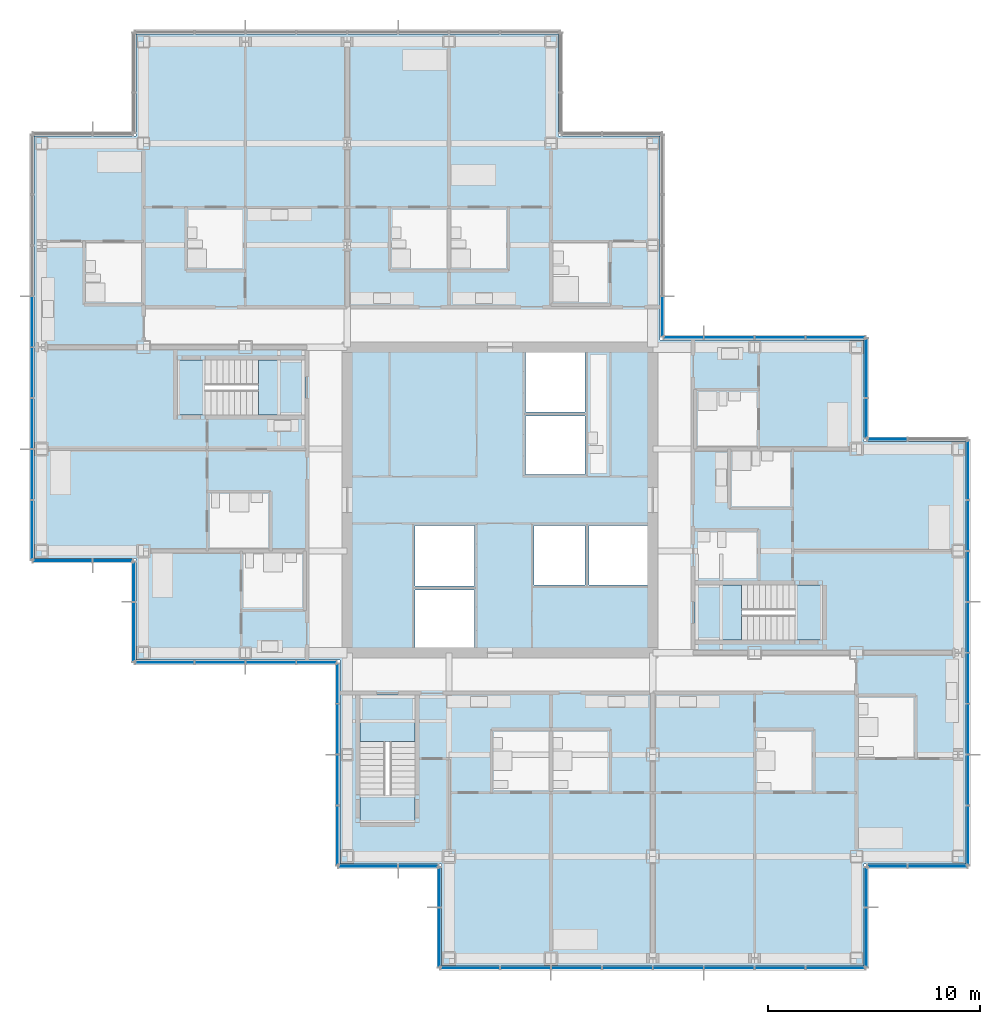
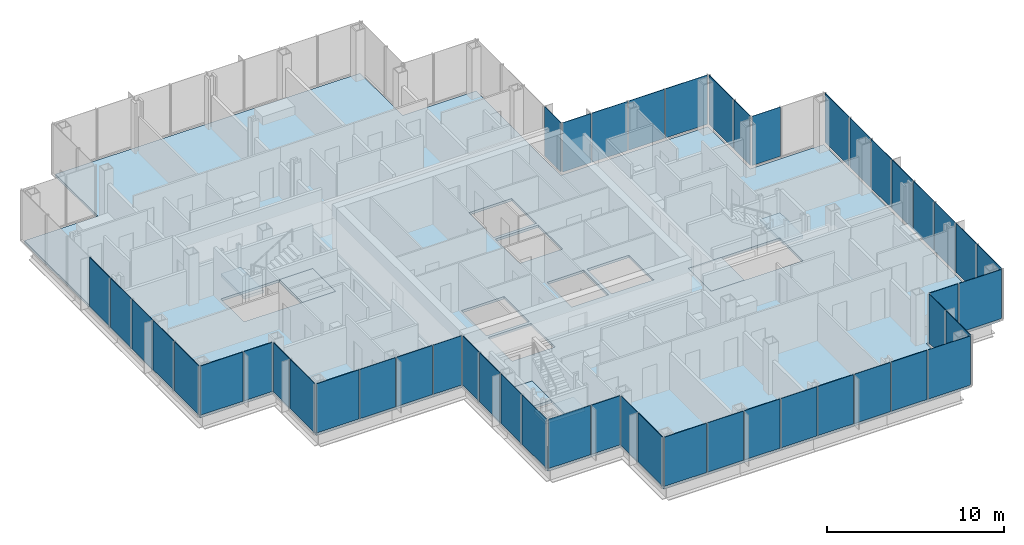
# One storey, part 11 of 19: 49 plates, 7 slabs, 18 elements without a shape of their own.
"""IFC4 building model written with IfcOpenShell, lengths in metres."""

from ifc_helpers import new_model, si_unit, direction, frame, origin, origin_2d, place, context, subcontext, project, spatial, polyline, rectangle, outline, extrude, material, layer, layer_set, type_object, element, aggregate, save


model = new_model("IFC4")

# Units and contexts
model_context = context("Model", 3, precision=1e-05, world=origin(), true_north=direction((0.0, 1.0)))
body_context = subcontext(model_context, "Body", "Model", "MODEL_VIEW")
ifc_project = project(units=[si_unit("LENGTHUNIT", "METRE"), si_unit("AREAUNIT", "SQUARE_METRE"), si_unit("VOLUMEUNIT", "CUBIC_METRE"), si_unit("PLANEANGLEUNIT", "RADIAN"), si_unit("MASSUNIT", "GRAM", prefix="KILO")], contexts=[model_context])

# Site, building, storey
site_placement = place(None, origin())
site = spatial("IfcSite", under=ifc_project, at=site_placement, CompositionType="ELEMENT")
building_placement = place(site_placement, origin())
building = spatial("IfcBuilding", under=site, at=building_placement, Name="Kvirike Care Tower", CompositionType="ELEMENT")
storey_placement = place(building_placement, frame((0.0, 0.0, 98.0)))
storey = spatial("IfcBuildingStorey", under=building, at=storey_placement, Name="L26", CompositionType="ELEMENT", Elevation=98.0)

# Slab
ifc_material_1 = material(Name="Concrete C35/45", Category="concrete")
ifc_layer_1 = layer(ifc_material_1, 0.169921875)
ifc_layer_set_1 = layer_set([ifc_layer_1], Name="FLOOR SLAB 170")
slab_type_1 = type_object("IfcSlabType", Name="FLOOR SLAB 170", PredefinedType="FLOOR", material=ifc_layer_set_1)
slab_1_placement = place(storey_placement, frame((0.0, 0.0, -0.169921875)))
element("IfcSlab", 1, at=slab_1_placement, inside=storey, type_object=slab_type_1, Name="Floor slab L26", PredefinedType="FLOOR", context=body_context, shape_type="SweptSolid", body=[
    extrude(outline(polyline([(43.550048828125, 18.85009765625), (43.550048828125, 38.75), (38.75, 38.75), (38.75, 43.550048828125), (29.14990234375, 43.550048828125), (29.14990234375, 53.14990234375), (24.35009765625, 53.14990234375), (24.35009765625, 57.949951171875), (4.449951171875, 57.949951171875), (4.449951171875, 53.14990234375), (-0.35009765625, 53.14990234375), (-0.35009765625, 33.25), (4.449951171875, 33.25), (4.449951171875, 28.449951171875), (14.050048828125, 28.449951171875), (14.050048828125, 18.85009765625), (18.85009765625, 18.85009765625), (18.85009765625, 14.050048828125), (38.75, 14.050048828125), (38.75, 18.85009765625), (43.550048828125, 18.85009765625)]), holes=[polyline([(17.60009765625, 29.050048828125), (17.60009765625, 31.75), (20.39990234375, 31.75), (20.39990234375, 29.050048828125), (17.60009765625, 29.050048828125)]), polyline([(17.60009765625, 31.949951171875), (17.60009765625, 34.800048828125), (20.39990234375, 34.800048828125), (20.39990234375, 31.949951171875), (17.60009765625, 31.949951171875)]), polyline([(22.800048828125, 37.199951171875), (22.800048828125, 39.949951171875), (25.60009765625, 39.949951171875), (25.60009765625, 37.199951171875), (22.800048828125, 37.199951171875)]), polyline([(22.800048828125, 40.14990234375), (22.800048828125, 42.949951171875), (25.60009765625, 42.949951171875), (25.60009765625, 40.14990234375), (22.800048828125, 40.14990234375)]), polyline([(23.199951171875, 32.0), (23.199951171875, 34.800048828125), (25.60009765625, 34.800048828125), (25.60009765625, 32.0), (23.199951171875, 32.0)]), polyline([(25.800048828125, 32.0), (25.800048828125, 34.800048828125), (28.550048828125, 34.800048828125), (28.550048828125, 32.0), (25.800048828125, 32.0)]), polyline([(12.39990234375, 42.60009765625), (12.39990234375, 40.0), (6.39990234375, 40.0), (6.39990234375, 42.60009765625), (12.39990234375, 42.60009765625)]), polyline([(30.800048828125, 29.39990234375), (30.800048828125, 32.0), (36.800048828125, 32.0), (36.800048828125, 29.39990234375), (30.800048828125, 29.39990234375)]), polyline([(15.0, 26.800048828125), (17.60009765625, 26.800048828125), (17.60009765625, 20.800048828125), (15.0, 20.800048828125), (15.0, 26.800048828125)])]), origin(), (0.0, 0.0, 1.0), 0.169921875),
])

# Stair, slabs
ifc_material_2 = material(Name="Concrete C35/45", Category="concrete")
stair_type = type_object("IfcStairType", Name="STAIR 20 RISERS", PredefinedType="HALF_TURN_STAIR", material=ifc_material_2)
stair_1_placement = place(storey_placement, origin())
stair_1 = element("IfcStair", 2, at=stair_1_placement, inside=storey, type_object=stair_type, Name="Stair 1 L26", PredefinedType="HALF_TURN_STAIR")
ifc_material_3 = material(Name="Concrete C35/45", Category="concrete")
ifc_layer_2 = layer(ifc_material_3, 0.199951171875)
ifc_layer_set_2 = layer_set([ifc_layer_2], Name="STAIR LANDING 200")
slab_type_2 = type_object("IfcSlabType", Name="STAIR LANDING 200", PredefinedType="LANDING", material=ifc_layer_set_2)
slab_2_placement = place(storey_placement, frame((0.0, 0.0, -0.199951171875)))
slab_2 = element("IfcSlab", 3, at=slab_2_placement, type_object=slab_type_2, Name="Stair S1 floor landing L26", PredefinedType="LANDING", context=body_context, shape_type="SweptSolid", body=[
    extrude(outline(polyline([(10.219970703125, 42.60009765625), (10.219970703125, 40.0), (12.39990234375, 40.0), (12.39990234375, 42.60009765625), (10.219970703125, 42.60009765625)])), origin(), (0.0, 0.0, 1.0), 0.199951171875),
])
slab_3_placement = place(storey_placement, frame((0.0, 0.0, 1.550048828125)))
slab_3 = element("IfcSlab", 4, at=slab_3_placement, type_object=slab_type_2, Name="Stair S1 half landing L26-L27", PredefinedType="LANDING", context=body_context, shape_type="SweptSolid", body=[
    extrude(outline(polyline([(6.39990234375, 42.60009765625), (6.39990234375, 40.0), (7.699951171875, 40.0), (7.699951171875, 42.60009765625), (6.39990234375, 42.60009765625)])), origin(), (0.0, 0.0, 1.0), 0.199951171875),
])
aggregate(stair_1, [slab_2, slab_3])

stair_2_placement = place(storey_placement, origin())
stair_2 = element("IfcStair", 5, at=stair_2_placement, inside=storey, type_object=stair_type, Name="Stair 2 L26", PredefinedType="HALF_TURN_STAIR")
slab_4_placement = place(storey_placement, frame((0.0, 0.0, -0.199951171875)))
slab_4 = element("IfcSlab", 6, at=slab_4_placement, type_object=slab_type_2, Name="Stair S2 floor landing L26", PredefinedType="LANDING", context=body_context, shape_type="SweptSolid", body=[
    extrude(outline(polyline([(32.97998046875, 29.39990234375), (32.97998046875, 32.0), (30.800048828125, 32.0), (30.800048828125, 29.39990234375), (32.97998046875, 29.39990234375)])), origin(), (0.0, 0.0, 1.0), 0.199951171875),
])
slab_5_placement = place(storey_placement, frame((0.0, 0.0, 1.550048828125)))
slab_5 = element("IfcSlab", 7, at=slab_5_placement, type_object=slab_type_2, Name="Stair S2 half landing L26-L27", PredefinedType="LANDING", context=body_context, shape_type="SweptSolid", body=[
    extrude(outline(polyline([(36.800048828125, 29.39990234375), (36.800048828125, 32.0), (35.5, 32.0), (35.5, 29.39990234375), (36.800048828125, 29.39990234375)])), origin(), (0.0, 0.0, 1.0), 0.199951171875),
])
aggregate(stair_2, [slab_4, slab_5])

stair_3_placement = place(storey_placement, origin())
stair_3 = element("IfcStair", 8, at=stair_3_placement, inside=storey, type_object=stair_type, Name="Stair 5 L26", PredefinedType="HALF_TURN_STAIR")
slab_6_placement = place(storey_placement, frame((0.0, 0.0, -0.199951171875)))
slab_6 = element("IfcSlab", 9, at=slab_6_placement, type_object=slab_type_2, Name="Stair S5 floor landing L26", PredefinedType="LANDING", context=body_context, shape_type="SweptSolid", body=[
    extrude(outline(polyline([(15.0, 24.6201171875), (17.60009765625, 24.6201171875), (17.60009765625, 26.800048828125), (15.0, 26.800048828125), (15.0, 24.6201171875)])), origin(), (0.0, 0.0, 1.0), 0.199951171875),
])
slab_7_placement = place(storey_placement, frame((0.0, 0.0, 1.550048828125)))
slab_7 = element("IfcSlab", 10, at=slab_7_placement, type_object=slab_type_2, Name="Stair S5 half landing L26-L27", PredefinedType="LANDING", context=body_context, shape_type="SweptSolid", body=[
    extrude(outline(polyline([(15.0, 20.800048828125), (17.60009765625, 20.800048828125), (17.60009765625, 22.10009765625), (15.0, 22.10009765625), (15.0, 20.800048828125)])), origin(), (0.0, 0.0, 1.0), 0.199951171875),
])
aggregate(stair_3, [slab_6, slab_7])

# Curtain wall, plates
ifc_material_4 = material(Name="Anodised aluminium stick system", Category="aluminium")
curtain_wall_type = type_object("IfcCurtainWallType", Name="CW-B STICK CURTAIN WALL", PredefinedType="NOTDEFINED", material=ifc_material_4)
curtain_wall_1_placement = place(storey_placement, origin())
curtain_wall_1 = element("IfcCurtainWall", 11, at=curtain_wall_1_placement, inside=storey, type_object=curtain_wall_type, Name="Curtain wall L26 face 1", PredefinedType="NOTDEFINED")
ifc_material_5 = material(Name="Tinted double glazed unit", Category="glass")
ifc_layer_3 = layer(ifc_material_5, 0.035888671875)
ifc_layer_set_3 = layer_set([ifc_layer_3], Name="TINTED VISION PANEL 36")
plate_type = type_object("IfcPlateType", Name="TINTED VISION PANEL 36", PredefinedType="CURTAIN_PANEL", material=ifc_layer_set_3)
plate_1_placement = place(storey_placement, frame((43.659912109375, 20.186279296875, 0.10009765625), z_axis=(0.0, 0.0, 1.0), x_axis=(0.0, 1.0, 0.0)))
plate_1 = element("IfcPlate", 12, at=plate_1_placement, type_object=plate_type, Name="CW-B panel L26 face 1.1", PredefinedType="CURTAIN_PANEL", context=body_context, shape_type="SweptSolid", body=[
    extrude(rectangle(XDim=2.762451171875, YDim=0.035888671875, at=origin_2d()), origin(), (0.0, 0.0, 1.0), 3.39990234375),
])
plate_2_placement = place(storey_placement, frame((43.659912109375, 22.800048828125, 0.10009765625), z_axis=(0.0, 0.0, 1.0), x_axis=(0.0, 1.0, 0.0)))
plate_2 = element("IfcPlate", 13, at=plate_2_placement, type_object=plate_type, Name="CW-B panel L26 face 1.2", PredefinedType="CURTAIN_PANEL", context=body_context, shape_type="SweptSolid", body=[
    extrude(rectangle(XDim=2.3349609375, YDim=0.035888671875, at=origin_2d()), origin(), (0.0, 0.0, 1.0), 3.39990234375),
])
plate_3_placement = place(storey_placement, frame((43.659912109375, 25.199951171875, 0.10009765625), z_axis=(0.0, 0.0, 1.0), x_axis=(0.0, 1.0, 0.0)))
plate_3 = element("IfcPlate", 14, at=plate_3_placement, type_object=plate_type, Name="CW-B panel L26 face 1.3", PredefinedType="CURTAIN_PANEL", context=body_context, shape_type="SweptSolid", body=[
    extrude(rectangle(XDim=2.3349609375, YDim=0.035888671875, at=origin_2d()), origin(), (0.0, 0.0, 1.0), 3.39990234375),
])
plate_4_placement = place(storey_placement, frame((43.659912109375, 27.60009765625, 0.10009765625), z_axis=(0.0, 0.0, 1.0), x_axis=(0.0, 1.0, 0.0)))
plate_4 = element("IfcPlate", 15, at=plate_4_placement, type_object=plate_type, Name="CW-B panel L26 face 1.4", PredefinedType="CURTAIN_PANEL", context=body_context, shape_type="SweptSolid", body=[
    extrude(rectangle(XDim=2.3349609375, YDim=0.035888671875, at=origin_2d()), origin(), (0.0, 0.0, 1.0), 3.39990234375),
])
plate_5_placement = place(storey_placement, frame((43.659912109375, 30.0, 0.10009765625), z_axis=(0.0, 0.0, 1.0), x_axis=(0.0, 1.0, 0.0)))
plate_5 = element("IfcPlate", 16, at=plate_5_placement, type_object=plate_type, Name="CW-B panel L26 face 1.5", PredefinedType="CURTAIN_PANEL", context=body_context, shape_type="SweptSolid", body=[
    extrude(rectangle(XDim=2.3349609375, YDim=0.035888671875, at=origin_2d()), origin(), (0.0, 0.0, 1.0), 3.39990234375),
])
plate_6_placement = place(storey_placement, frame((43.659912109375, 32.39990234375, 0.10009765625), z_axis=(0.0, 0.0, 1.0), x_axis=(0.0, 1.0, 0.0)))
plate_6 = element("IfcPlate", 17, at=plate_6_placement, type_object=plate_type, Name="CW-B panel L26 face 1.6", PredefinedType="CURTAIN_PANEL", context=body_context, shape_type="SweptSolid", body=[
    extrude(rectangle(XDim=2.3349609375, YDim=0.035888671875, at=origin_2d()), origin(), (0.0, 0.0, 1.0), 3.39990234375),
])
plate_7_placement = place(storey_placement, frame((43.659912109375, 34.800048828125, 0.10009765625), z_axis=(0.0, 0.0, 1.0), x_axis=(0.0, 1.0, 0.0)))
plate_7 = element("IfcPlate", 18, at=plate_7_placement, type_object=plate_type, Name="CW-B panel L26 face 1.7", PredefinedType="CURTAIN_PANEL", context=body_context, shape_type="SweptSolid", body=[
    extrude(rectangle(XDim=2.3349609375, YDim=0.035888671875, at=origin_2d()), origin(), (0.0, 0.0, 1.0), 3.39990234375),
])
plate_8_placement = place(storey_placement, frame((43.659912109375, 37.413818359375, 0.10009765625), z_axis=(0.0, 0.0, 1.0), x_axis=(0.0, 1.0, 0.0)))
plate_8 = element("IfcPlate", 19, at=plate_8_placement, type_object=plate_type, Name="CW-B panel L26 face 1.8", PredefinedType="CURTAIN_PANEL", context=body_context, shape_type="SweptSolid", body=[
    extrude(rectangle(XDim=2.762451171875, YDim=0.035888671875, at=origin_2d()), origin(), (0.0, 0.0, 1.0), 3.39990234375),
])
aggregate(curtain_wall_1, [plate_1, plate_2, plate_3, plate_4, plate_5, plate_6, plate_7, plate_8])

# Curtain wall, plate
curtain_wall_2_placement = place(storey_placement, origin())
curtain_wall_2 = element("IfcCurtainWall", 20, at=curtain_wall_2_placement, inside=storey, type_object=curtain_wall_type, Name="Curtain wall L26 face 2", PredefinedType="NOTDEFINED")
plate_9_placement = place(storey_placement, frame((39.84619140625, 38.860107421875, 0.10009765625), z_axis=(0.0, 0.0, 1.0), x_axis=(-1.0, 0.0, 0.0)))
plate_9 = element("IfcPlate", 21, at=plate_9_placement, type_object=plate_type, Name="CW-B panel L26 face 2.2", PredefinedType="CURTAIN_PANEL", context=body_context, shape_type="SweptSolid", body=[
    extrude(rectangle(XDim=1.842529296875, YDim=0.035888671875, at=origin_2d()), origin(), (0.0, 0.0, 1.0), 3.39990234375),
])
aggregate(curtain_wall_2, [plate_9])

# Curtain wall, plates
curtain_wall_3_placement = place(storey_placement, origin())
curtain_wall_3 = element("IfcCurtainWall", 22, at=curtain_wall_3_placement, inside=storey, type_object=curtain_wall_type, Name="Curtain wall L26 face 3", PredefinedType="NOTDEFINED")
plate_10_placement = place(storey_placement, frame((38.860107421875, 39.84619140625, 0.10009765625), z_axis=(0.0, 0.0, 1.0), x_axis=(0.0, 1.0, 0.0)))
plate_10 = element("IfcPlate", 23, at=plate_10_placement, type_object=plate_type, Name="CW-B panel L26 face 3.1", PredefinedType="CURTAIN_PANEL", context=body_context, shape_type="SweptSolid", body=[
    extrude(rectangle(XDim=1.842529296875, YDim=0.035888671875, at=origin_2d()), origin(), (0.0, 0.0, 1.0), 3.39990234375),
])
plate_11_placement = place(storey_placement, frame((38.860107421875, 42.2138671875, 0.10009765625), z_axis=(0.0, 0.0, 1.0), x_axis=(0.0, 1.0, 0.0)))
plate_11 = element("IfcPlate", 24, at=plate_11_placement, type_object=plate_type, Name="CW-B panel L26 face 3.2", PredefinedType="CURTAIN_PANEL", context=body_context, shape_type="SweptSolid", body=[
    extrude(rectangle(XDim=2.762451171875, YDim=0.035888671875, at=origin_2d()), origin(), (0.0, 0.0, 1.0), 3.39990234375),
])
aggregate(curtain_wall_3, [plate_10, plate_11])

curtain_wall_4_placement = place(storey_placement, origin())
curtain_wall_4 = element("IfcCurtainWall", 25, at=curtain_wall_4_placement, inside=storey, type_object=curtain_wall_type, Name="Curtain wall L26 face 4", PredefinedType="NOTDEFINED")
plate_12_placement = place(storey_placement, frame((37.413818359375, 43.659912109375, 0.10009765625), z_axis=(0.0, 0.0, 1.0), x_axis=(-1.0, 0.0, 0.0)))
plate_12 = element("IfcPlate", 26, at=plate_12_placement, type_object=plate_type, Name="CW-B panel L26 face 4.1", PredefinedType="CURTAIN_PANEL", context=body_context, shape_type="SweptSolid", body=[
    extrude(rectangle(XDim=2.762451171875, YDim=0.035888671875, at=origin_2d()), origin(), (0.0, 0.0, 1.0), 3.39990234375),
])
plate_13_placement = place(storey_placement, frame((34.800048828125, 43.659912109375, 0.10009765625), z_axis=(0.0, 0.0, 1.0), x_axis=(-1.0, 0.0, 0.0)))
plate_13 = element("IfcPlate", 27, at=plate_13_placement, type_object=plate_type, Name="CW-B panel L26 face 4.2", PredefinedType="CURTAIN_PANEL", context=body_context, shape_type="SweptSolid", body=[
    extrude(rectangle(XDim=2.3349609375, YDim=0.035888671875, at=origin_2d()), origin(), (0.0, 0.0, 1.0), 3.39990234375),
])
plate_14_placement = place(storey_placement, frame((32.39990234375, 43.659912109375, 0.10009765625), z_axis=(0.0, 0.0, 1.0), x_axis=(-1.0, 0.0, 0.0)))
plate_14 = element("IfcPlate", 28, at=plate_14_placement, type_object=plate_type, Name="CW-B panel L26 face 4.3", PredefinedType="CURTAIN_PANEL", context=body_context, shape_type="SweptSolid", body=[
    extrude(rectangle(XDim=2.3349609375, YDim=0.035888671875, at=origin_2d()), origin(), (0.0, 0.0, 1.0), 3.39990234375),
])
plate_15_placement = place(storey_placement, frame((30.246337890625, 43.659912109375, 0.10009765625), z_axis=(0.0, 0.0, 1.0), x_axis=(-1.0, 0.0, 0.0)))
plate_15 = element("IfcPlate", 29, at=plate_15_placement, type_object=plate_type, Name="CW-B panel L26 face 4.4", PredefinedType="CURTAIN_PANEL", context=body_context, shape_type="SweptSolid", body=[
    extrude(rectangle(XDim=1.842529296875, YDim=0.035888671875, at=origin_2d()), origin(), (0.0, 0.0, 1.0), 3.39990234375),
])
aggregate(curtain_wall_4, [plate_12, plate_13, plate_14, plate_15])

# Curtain wall, plate
curtain_wall_5_placement = place(storey_placement, origin())
curtain_wall_5 = element("IfcCurtainWall", 30, at=curtain_wall_5_placement, inside=storey, type_object=curtain_wall_type, Name="Curtain wall L26 face 5", PredefinedType="NOTDEFINED")
plate_16_placement = place(storey_placement, frame((29.260009765625, 44.646240234375, 0.10009765625), z_axis=(0.0, 0.0, 1.0), x_axis=(0.0, 1.0, 0.0)))
plate_16 = element("IfcPlate", 31, at=plate_16_placement, type_object=plate_type, Name="CW-B panel L26 face 5.1", PredefinedType="CURTAIN_PANEL", context=body_context, shape_type="SweptSolid", body=[
    extrude(rectangle(XDim=1.842529296875, YDim=0.035888671875, at=origin_2d()), origin(), (0.0, 0.0, 1.0), 3.39990234375),
])
aggregate(curtain_wall_5, [plate_16])

# Curtain wall, plates
curtain_wall_6_placement = place(storey_placement, origin())
curtain_wall_6 = element("IfcCurtainWall", 32, at=curtain_wall_6_placement, inside=storey, type_object=curtain_wall_type, Name="Curtain wall L26 face 11", PredefinedType="NOTDEFINED")
plate_17_placement = place(storey_placement, frame((-0.4599609375, 44.39990234375, 0.10009765625), z_axis=(0.0, 0.0, 1.0), x_axis=(0.0, -1.0, 0.0)))
plate_17 = element("IfcPlate", 33, at=plate_17_placement, type_object=plate_type, Name="CW-B panel L26 face 11.4", PredefinedType="CURTAIN_PANEL", context=body_context, shape_type="SweptSolid", body=[
    extrude(rectangle(XDim=2.3349609375, YDim=0.035888671875, at=origin_2d()), origin(), (0.0, 0.0, 1.0), 3.39990234375),
])
plate_18_placement = place(storey_placement, frame((-0.4599609375, 42.0, 0.10009765625), z_axis=(0.0, 0.0, 1.0), x_axis=(0.0, -1.0, 0.0)))
plate_18 = element("IfcPlate", 34, at=plate_18_placement, type_object=plate_type, Name="CW-B panel L26 face 11.5", PredefinedType="CURTAIN_PANEL", context=body_context, shape_type="SweptSolid", body=[
    extrude(rectangle(XDim=2.3349609375, YDim=0.035888671875, at=origin_2d()), origin(), (0.0, 0.0, 1.0), 3.39990234375),
])
plate_19_placement = place(storey_placement, frame((-0.4599609375, 39.60009765625, 0.10009765625), z_axis=(0.0, 0.0, 1.0), x_axis=(0.0, -1.0, 0.0)))
plate_19 = element("IfcPlate", 35, at=plate_19_placement, type_object=plate_type, Name="CW-B panel L26 face 11.6", PredefinedType="CURTAIN_PANEL", context=body_context, shape_type="SweptSolid", body=[
    extrude(rectangle(XDim=2.3349609375, YDim=0.035888671875, at=origin_2d()), origin(), (0.0, 0.0, 1.0), 3.39990234375),
])
plate_20_placement = place(storey_placement, frame((-0.4599609375, 37.199951171875, 0.10009765625), z_axis=(0.0, 0.0, 1.0), x_axis=(0.0, -1.0, 0.0)))
plate_20 = element("IfcPlate", 36, at=plate_20_placement, type_object=plate_type, Name="CW-B panel L26 face 11.7", PredefinedType="CURTAIN_PANEL", context=body_context, shape_type="SweptSolid", body=[
    extrude(rectangle(XDim=2.3349609375, YDim=0.035888671875, at=origin_2d()), origin(), (0.0, 0.0, 1.0), 3.39990234375),
])
plate_21_placement = place(storey_placement, frame((-0.4599609375, 34.586181640625, 0.10009765625), z_axis=(0.0, 0.0, 1.0), x_axis=(0.0, -1.0, 0.0)))
plate_21 = element("IfcPlate", 37, at=plate_21_placement, type_object=plate_type, Name="CW-B panel L26 face 11.8", PredefinedType="CURTAIN_PANEL", context=body_context, shape_type="SweptSolid", body=[
    extrude(rectangle(XDim=2.762451171875, YDim=0.035888671875, at=origin_2d()), origin(), (0.0, 0.0, 1.0), 3.39990234375),
])
aggregate(curtain_wall_6, [plate_17, plate_18, plate_19, plate_20, plate_21])

curtain_wall_7_placement = place(storey_placement, origin())
curtain_wall_7 = element("IfcCurtainWall", 38, at=curtain_wall_7_placement, inside=storey, type_object=curtain_wall_type, Name="Curtain wall L26 face 12", PredefinedType="NOTDEFINED")
plate_22_placement = place(storey_placement, frame((0.986328125, 33.139892578125, 0.10009765625), z_axis=(0.0, 0.0, 1.0), x_axis=(1.0, 0.0, 0.0)))
plate_22 = element("IfcPlate", 39, at=plate_22_placement, type_object=plate_type, Name="CW-B panel L26 face 12.1", PredefinedType="CURTAIN_PANEL", context=body_context, shape_type="SweptSolid", body=[
    extrude(rectangle(XDim=2.762451171875, YDim=0.035888671875, at=origin_2d()), origin(), (0.0, 0.0, 1.0), 3.39990234375),
])
plate_23_placement = place(storey_placement, frame((3.353759765625, 33.139892578125, 0.10009765625), z_axis=(0.0, 0.0, 1.0), x_axis=(1.0, 0.0, 0.0)))
plate_23 = element("IfcPlate", 40, at=plate_23_placement, type_object=plate_type, Name="CW-B panel L26 face 12.2", PredefinedType="CURTAIN_PANEL", context=body_context, shape_type="SweptSolid", body=[
    extrude(rectangle(XDim=1.842529296875, YDim=0.035888671875, at=origin_2d()), origin(), (0.0, 0.0, 1.0), 3.39990234375),
])
aggregate(curtain_wall_7, [plate_22, plate_23])

curtain_wall_8_placement = place(storey_placement, origin())
curtain_wall_8 = element("IfcCurtainWall", 41, at=curtain_wall_8_placement, inside=storey, type_object=curtain_wall_type, Name="Curtain wall L26 face 13", PredefinedType="NOTDEFINED")
plate_24_placement = place(storey_placement, frame((4.340087890625, 32.15380859375, 0.10009765625), z_axis=(0.0, 0.0, 1.0), x_axis=(0.0, -1.0, 0.0)))
plate_24 = element("IfcPlate", 42, at=plate_24_placement, type_object=plate_type, Name="CW-B panel L26 face 13.1", PredefinedType="CURTAIN_PANEL", context=body_context, shape_type="SweptSolid", body=[
    extrude(rectangle(XDim=1.842529296875, YDim=0.035888671875, at=origin_2d()), origin(), (0.0, 0.0, 1.0), 3.39990234375),
])
plate_25_placement = place(storey_placement, frame((4.340087890625, 29.7861328125, 0.10009765625), z_axis=(0.0, 0.0, 1.0), x_axis=(0.0, -1.0, 0.0)))
plate_25 = element("IfcPlate", 43, at=plate_25_placement, type_object=plate_type, Name="CW-B panel L26 face 13.2", PredefinedType="CURTAIN_PANEL", context=body_context, shape_type="SweptSolid", body=[
    extrude(rectangle(XDim=2.762451171875, YDim=0.035888671875, at=origin_2d()), origin(), (0.0, 0.0, 1.0), 3.39990234375),
])
aggregate(curtain_wall_8, [plate_24, plate_25])

curtain_wall_9_placement = place(storey_placement, origin())
curtain_wall_9 = element("IfcCurtainWall", 44, at=curtain_wall_9_placement, inside=storey, type_object=curtain_wall_type, Name="Curtain wall L26 face 14", PredefinedType="NOTDEFINED")
plate_26_placement = place(storey_placement, frame((5.7861328125, 28.340087890625, 0.10009765625), z_axis=(0.0, 0.0, 1.0), x_axis=(1.0, 0.0, 0.0)))
plate_26 = element("IfcPlate", 45, at=plate_26_placement, type_object=plate_type, Name="CW-B panel L26 face 14.1", PredefinedType="CURTAIN_PANEL", context=body_context, shape_type="SweptSolid", body=[
    extrude(rectangle(XDim=2.762451171875, YDim=0.035888671875, at=origin_2d()), origin(), (0.0, 0.0, 1.0), 3.39990234375),
])
plate_27_placement = place(storey_placement, frame((8.39990234375, 28.340087890625, 0.10009765625), z_axis=(0.0, 0.0, 1.0), x_axis=(1.0, 0.0, 0.0)))
plate_27 = element("IfcPlate", 46, at=plate_27_placement, type_object=plate_type, Name="CW-B panel L26 face 14.2", PredefinedType="CURTAIN_PANEL", context=body_context, shape_type="SweptSolid", body=[
    extrude(rectangle(XDim=2.3349609375, YDim=0.035888671875, at=origin_2d()), origin(), (0.0, 0.0, 1.0), 3.39990234375),
])
plate_28_placement = place(storey_placement, frame((10.800048828125, 28.340087890625, 0.10009765625), z_axis=(0.0, 0.0, 1.0), x_axis=(1.0, 0.0, 0.0)))
plate_28 = element("IfcPlate", 47, at=plate_28_placement, type_object=plate_type, Name="CW-B panel L26 face 14.3", PredefinedType="CURTAIN_PANEL", context=body_context, shape_type="SweptSolid", body=[
    extrude(rectangle(XDim=2.3349609375, YDim=0.035888671875, at=origin_2d()), origin(), (0.0, 0.0, 1.0), 3.39990234375),
])
plate_29_placement = place(storey_placement, frame((12.953857421875, 28.340087890625, 0.10009765625), z_axis=(0.0, 0.0, 1.0), x_axis=(1.0, 0.0, 0.0)))
plate_29 = element("IfcPlate", 48, at=plate_29_placement, type_object=plate_type, Name="CW-B panel L26 face 14.4", PredefinedType="CURTAIN_PANEL", context=body_context, shape_type="SweptSolid", body=[
    extrude(rectangle(XDim=1.842529296875, YDim=0.035888671875, at=origin_2d()), origin(), (0.0, 0.0, 1.0), 3.39990234375),
])
aggregate(curtain_wall_9, [plate_26, plate_27, plate_28, plate_29])

curtain_wall_10_placement = place(storey_placement, origin())
curtain_wall_10 = element("IfcCurtainWall", 49, at=curtain_wall_10_placement, inside=storey, type_object=curtain_wall_type, Name="Curtain wall L26 face 15", PredefinedType="NOTDEFINED")
plate_30_placement = place(storey_placement, frame((13.93994140625, 27.353759765625, 0.10009765625), z_axis=(0.0, 0.0, 1.0), x_axis=(0.0, -1.0, 0.0)))
plate_30 = element("IfcPlate", 50, at=plate_30_placement, type_object=plate_type, Name="CW-B panel L26 face 15.1", PredefinedType="CURTAIN_PANEL", context=body_context, shape_type="SweptSolid", body=[
    extrude(rectangle(XDim=1.842529296875, YDim=0.035888671875, at=origin_2d()), origin(), (0.0, 0.0, 1.0), 3.39990234375),
])
plate_31_placement = place(storey_placement, frame((13.93994140625, 25.199951171875, 0.10009765625), z_axis=(0.0, 0.0, 1.0), x_axis=(0.0, -1.0, 0.0)))
plate_31 = element("IfcPlate", 51, at=plate_31_placement, type_object=plate_type, Name="CW-B panel L26 face 15.2", PredefinedType="CURTAIN_PANEL", context=body_context, shape_type="SweptSolid", body=[
    extrude(rectangle(XDim=2.3349609375, YDim=0.035888671875, at=origin_2d()), origin(), (0.0, 0.0, 1.0), 3.39990234375),
])
plate_32_placement = place(storey_placement, frame((13.93994140625, 22.800048828125, 0.10009765625), z_axis=(0.0, 0.0, 1.0), x_axis=(0.0, -1.0, 0.0)))
plate_32 = element("IfcPlate", 52, at=plate_32_placement, type_object=plate_type, Name="CW-B panel L26 face 15.3", PredefinedType="CURTAIN_PANEL", context=body_context, shape_type="SweptSolid", body=[
    extrude(rectangle(XDim=2.3349609375, YDim=0.035888671875, at=origin_2d()), origin(), (0.0, 0.0, 1.0), 3.39990234375),
])
plate_33_placement = place(storey_placement, frame((13.93994140625, 20.186279296875, 0.10009765625), z_axis=(0.0, 0.0, 1.0), x_axis=(0.0, -1.0, 0.0)))
plate_33 = element("IfcPlate", 53, at=plate_33_placement, type_object=plate_type, Name="CW-B panel L26 face 15.4", PredefinedType="CURTAIN_PANEL", context=body_context, shape_type="SweptSolid", body=[
    extrude(rectangle(XDim=2.762451171875, YDim=0.035888671875, at=origin_2d()), origin(), (0.0, 0.0, 1.0), 3.39990234375),
])
aggregate(curtain_wall_10, [plate_30, plate_31, plate_32, plate_33])

curtain_wall_11_placement = place(storey_placement, origin())
curtain_wall_11 = element("IfcCurtainWall", 54, at=curtain_wall_11_placement, inside=storey, type_object=curtain_wall_type, Name="Curtain wall L26 face 16", PredefinedType="NOTDEFINED")
plate_34_placement = place(storey_placement, frame((15.38623046875, 18.739990234375, 0.10009765625), z_axis=(0.0, 0.0, 1.0), x_axis=(1.0, 0.0, 0.0)))
plate_34 = element("IfcPlate", 55, at=plate_34_placement, type_object=plate_type, Name="CW-B panel L26 face 16.1", PredefinedType="CURTAIN_PANEL", context=body_context, shape_type="SweptSolid", body=[
    extrude(rectangle(XDim=2.762451171875, YDim=0.035888671875, at=origin_2d()), origin(), (0.0, 0.0, 1.0), 3.39990234375),
])
plate_35_placement = place(storey_placement, frame((17.753662109375, 18.739990234375, 0.10009765625), z_axis=(0.0, 0.0, 1.0), x_axis=(1.0, 0.0, 0.0)))
plate_35 = element("IfcPlate", 56, at=plate_35_placement, type_object=plate_type, Name="CW-B panel L26 face 16.2", PredefinedType="CURTAIN_PANEL", context=body_context, shape_type="SweptSolid", body=[
    extrude(rectangle(XDim=1.842529296875, YDim=0.035888671875, at=origin_2d()), origin(), (0.0, 0.0, 1.0), 3.39990234375),
])
aggregate(curtain_wall_11, [plate_34, plate_35])

curtain_wall_12_placement = place(storey_placement, origin())
curtain_wall_12 = element("IfcCurtainWall", 57, at=curtain_wall_12_placement, inside=storey, type_object=curtain_wall_type, Name="Curtain wall L26 face 17", PredefinedType="NOTDEFINED")
plate_36_placement = place(storey_placement, frame((18.739990234375, 17.753662109375, 0.10009765625), z_axis=(0.0, 0.0, 1.0), x_axis=(0.0, -1.0, 0.0)))
plate_36 = element("IfcPlate", 58, at=plate_36_placement, type_object=plate_type, Name="CW-B panel L26 face 17.1", PredefinedType="CURTAIN_PANEL", context=body_context, shape_type="SweptSolid", body=[
    extrude(rectangle(XDim=1.842529296875, YDim=0.035888671875, at=origin_2d()), origin(), (0.0, 0.0, 1.0), 3.39990234375),
])
plate_37_placement = place(storey_placement, frame((18.739990234375, 15.38623046875, 0.10009765625), z_axis=(0.0, 0.0, 1.0), x_axis=(0.0, -1.0, 0.0)))
plate_37 = element("IfcPlate", 59, at=plate_37_placement, type_object=plate_type, Name="CW-B panel L26 face 17.2", PredefinedType="CURTAIN_PANEL", context=body_context, shape_type="SweptSolid", body=[
    extrude(rectangle(XDim=2.762451171875, YDim=0.035888671875, at=origin_2d()), origin(), (0.0, 0.0, 1.0), 3.39990234375),
])
aggregate(curtain_wall_12, [plate_36, plate_37])

curtain_wall_13_placement = place(storey_placement, origin())
curtain_wall_13 = element("IfcCurtainWall", 60, at=curtain_wall_13_placement, inside=storey, type_object=curtain_wall_type, Name="Curtain wall L26 face 18", PredefinedType="NOTDEFINED")
plate_38_placement = place(storey_placement, frame((20.186279296875, 13.93994140625, 0.10009765625), z_axis=(0.0, 0.0, 1.0), x_axis=(1.0, 0.0, 0.0)))
plate_38 = element("IfcPlate", 61, at=plate_38_placement, type_object=plate_type, Name="CW-B panel L26 face 18.1", PredefinedType="CURTAIN_PANEL", context=body_context, shape_type="SweptSolid", body=[
    extrude(rectangle(XDim=2.762451171875, YDim=0.035888671875, at=origin_2d()), origin(), (0.0, 0.0, 1.0), 3.39990234375),
])
plate_39_placement = place(storey_placement, frame((22.800048828125, 13.93994140625, 0.10009765625), z_axis=(0.0, 0.0, 1.0), x_axis=(1.0, 0.0, 0.0)))
plate_39 = element("IfcPlate", 62, at=plate_39_placement, type_object=plate_type, Name="CW-B panel L26 face 18.2", PredefinedType="CURTAIN_PANEL", context=body_context, shape_type="SweptSolid", body=[
    extrude(rectangle(XDim=2.3349609375, YDim=0.035888671875, at=origin_2d()), origin(), (0.0, 0.0, 1.0), 3.39990234375),
])
plate_40_placement = place(storey_placement, frame((25.199951171875, 13.93994140625, 0.10009765625), z_axis=(0.0, 0.0, 1.0), x_axis=(1.0, 0.0, 0.0)))
plate_40 = element("IfcPlate", 63, at=plate_40_placement, type_object=plate_type, Name="CW-B panel L26 face 18.3", PredefinedType="CURTAIN_PANEL", context=body_context, shape_type="SweptSolid", body=[
    extrude(rectangle(XDim=2.3349609375, YDim=0.035888671875, at=origin_2d()), origin(), (0.0, 0.0, 1.0), 3.39990234375),
])
plate_41_placement = place(storey_placement, frame((27.60009765625, 13.93994140625, 0.10009765625), z_axis=(0.0, 0.0, 1.0), x_axis=(1.0, 0.0, 0.0)))
plate_41 = element("IfcPlate", 64, at=plate_41_placement, type_object=plate_type, Name="CW-B panel L26 face 18.4", PredefinedType="CURTAIN_PANEL", context=body_context, shape_type="SweptSolid", body=[
    extrude(rectangle(XDim=2.3349609375, YDim=0.035888671875, at=origin_2d()), origin(), (0.0, 0.0, 1.0), 3.39990234375),
])
plate_42_placement = place(storey_placement, frame((30.0, 13.93994140625, 0.10009765625), z_axis=(0.0, 0.0, 1.0), x_axis=(1.0, 0.0, 0.0)))
plate_42 = element("IfcPlate", 65, at=plate_42_placement, type_object=plate_type, Name="CW-B panel L26 face 18.5", PredefinedType="CURTAIN_PANEL", context=body_context, shape_type="SweptSolid", body=[
    extrude(rectangle(XDim=2.3349609375, YDim=0.035888671875, at=origin_2d()), origin(), (0.0, 0.0, 1.0), 3.39990234375),
])
plate_43_placement = place(storey_placement, frame((32.39990234375, 13.93994140625, 0.10009765625), z_axis=(0.0, 0.0, 1.0), x_axis=(1.0, 0.0, 0.0)))
plate_43 = element("IfcPlate", 66, at=plate_43_placement, type_object=plate_type, Name="CW-B panel L26 face 18.6", PredefinedType="CURTAIN_PANEL", context=body_context, shape_type="SweptSolid", body=[
    extrude(rectangle(XDim=2.3349609375, YDim=0.035888671875, at=origin_2d()), origin(), (0.0, 0.0, 1.0), 3.39990234375),
])
plate_44_placement = place(storey_placement, frame((34.800048828125, 13.93994140625, 0.10009765625), z_axis=(0.0, 0.0, 1.0), x_axis=(1.0, 0.0, 0.0)))
plate_44 = element("IfcPlate", 67, at=plate_44_placement, type_object=plate_type, Name="CW-B panel L26 face 18.7", PredefinedType="CURTAIN_PANEL", context=body_context, shape_type="SweptSolid", body=[
    extrude(rectangle(XDim=2.3349609375, YDim=0.035888671875, at=origin_2d()), origin(), (0.0, 0.0, 1.0), 3.39990234375),
])
plate_45_placement = place(storey_placement, frame((37.413818359375, 13.93994140625, 0.10009765625), z_axis=(0.0, 0.0, 1.0), x_axis=(1.0, 0.0, 0.0)))
plate_45 = element("IfcPlate", 68, at=plate_45_placement, type_object=plate_type, Name="CW-B panel L26 face 18.8", PredefinedType="CURTAIN_PANEL", context=body_context, shape_type="SweptSolid", body=[
    extrude(rectangle(XDim=2.762451171875, YDim=0.035888671875, at=origin_2d()), origin(), (0.0, 0.0, 1.0), 3.39990234375),
])
aggregate(curtain_wall_13, [plate_38, plate_39, plate_40, plate_41, plate_42, plate_43, plate_44, plate_45])

curtain_wall_14_placement = place(storey_placement, origin())
curtain_wall_14 = element("IfcCurtainWall", 69, at=curtain_wall_14_placement, inside=storey, type_object=curtain_wall_type, Name="Curtain wall L26 face 19", PredefinedType="NOTDEFINED")
plate_46_placement = place(storey_placement, frame((38.860107421875, 15.38623046875, 0.10009765625), z_axis=(0.0, 0.0, 1.0), x_axis=(0.0, 1.0, 0.0)))
plate_46 = element("IfcPlate", 70, at=plate_46_placement, type_object=plate_type, Name="CW-B panel L26 face 19.1", PredefinedType="CURTAIN_PANEL", context=body_context, shape_type="SweptSolid", body=[
    extrude(rectangle(XDim=2.762451171875, YDim=0.035888671875, at=origin_2d()), origin(), (0.0, 0.0, 1.0), 3.39990234375),
])
plate_47_placement = place(storey_placement, frame((38.860107421875, 17.753662109375, 0.10009765625), z_axis=(0.0, 0.0, 1.0), x_axis=(0.0, 1.0, 0.0)))
plate_47 = element("IfcPlate", 71, at=plate_47_placement, type_object=plate_type, Name="CW-B panel L26 face 19.2", PredefinedType="CURTAIN_PANEL", context=body_context, shape_type="SweptSolid", body=[
    extrude(rectangle(XDim=1.842529296875, YDim=0.035888671875, at=origin_2d()), origin(), (0.0, 0.0, 1.0), 3.39990234375),
])
aggregate(curtain_wall_14, [plate_46, plate_47])

curtain_wall_15_placement = place(storey_placement, origin())
curtain_wall_15 = element("IfcCurtainWall", 72, at=curtain_wall_15_placement, inside=storey, type_object=curtain_wall_type, Name="Curtain wall L26 face 20", PredefinedType="NOTDEFINED")
plate_48_placement = place(storey_placement, frame((39.84619140625, 18.739990234375, 0.10009765625), z_axis=(0.0, 0.0, 1.0), x_axis=(1.0, 0.0, 0.0)))
plate_48 = element("IfcPlate", 73, at=plate_48_placement, type_object=plate_type, Name="CW-B panel L26 face 20.1", PredefinedType="CURTAIN_PANEL", context=body_context, shape_type="SweptSolid", body=[
    extrude(rectangle(XDim=1.842529296875, YDim=0.035888671875, at=origin_2d()), origin(), (0.0, 0.0, 1.0), 3.39990234375),
])
plate_49_placement = place(storey_placement, frame((42.2138671875, 18.739990234375, 0.10009765625), z_axis=(0.0, 0.0, 1.0), x_axis=(1.0, 0.0, 0.0)))
plate_49 = element("IfcPlate", 74, at=plate_49_placement, type_object=plate_type, Name="CW-B panel L26 face 20.2", PredefinedType="CURTAIN_PANEL", context=body_context, shape_type="SweptSolid", body=[
    extrude(rectangle(XDim=2.762451171875, YDim=0.035888671875, at=origin_2d()), origin(), (0.0, 0.0, 1.0), 3.39990234375),
])
aggregate(curtain_wall_15, [plate_48, plate_49])

save(model, "model.ifc")
